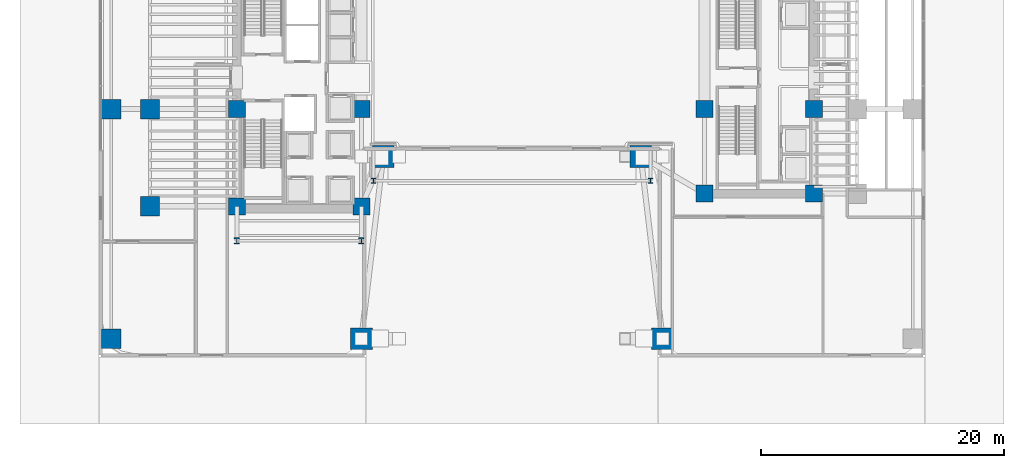
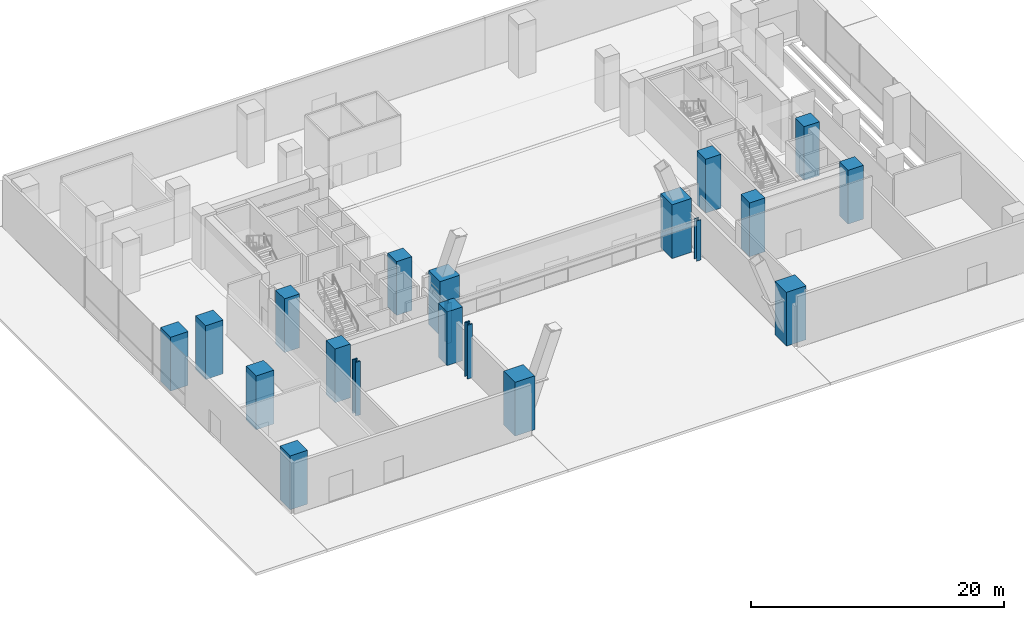
# One storey, part 1 of 27: 20 columns.
"""IFC4 building model written with IfcOpenShell, lengths in metres."""

from ifc_helpers import new_model, si_unit, direction, frame, origin, origin_2d, place, context, subcontext, project, spatial, rectangle, i_section, extrude, source, transform, mapped, material, material_profile, profile_set, type_object, element, save


model = new_model("IFC4")

# Units and contexts
model_context = context("Model", 3, precision=1e-05, world=origin(), true_north=direction((0.0, 1.0)))
body_context = subcontext(model_context, "Body", "Model", "MODEL_VIEW")
ifc_project = project(units=[si_unit("LENGTHUNIT", "METRE"), si_unit("AREAUNIT", "SQUARE_METRE"), si_unit("VOLUMEUNIT", "CUBIC_METRE"), si_unit("PLANEANGLEUNIT", "RADIAN"), si_unit("MASSUNIT", "GRAM", prefix="KILO")], contexts=[model_context])

# Site, building, storey
site_placement = place(None, origin())
site = spatial("IfcSite", under=ifc_project, at=site_placement, CompositionType="ELEMENT")
building_placement = place(site_placement, origin())
building = spatial("IfcBuilding", under=site, at=building_placement, Name="Valdorenza Pilgrim Sanctuary Tower", CompositionType="ELEMENT")
storey_placement = place(building_placement, origin())
storey = spatial("IfcBuildingStorey", under=building, at=storey_placement, Name="L00", CompositionType="ELEMENT", Elevation=0.0)

# Columns
ifc_material_1 = material(Name="Concrete C60/75", Category="concrete")
ifc_material_profile_1 = material_profile(ifc_material_1, rectangle(XDim=1.60009765625, YDim=1.60009765625, at=origin_2d()), Name="RC 1600x1600")
ifc_profile_set_1 = profile_set([ifc_material_profile_1], Name="Concrete C60/75")
column_type_1 = type_object("IfcColumnType", Name="COL-POD-1600", PredefinedType="COLUMN", material=ifc_profile_set_1)
shared_shape_1 = source(origin(), body_context, "Body", "SweptSolid", [
    extrude(rectangle(XDim=1.60009765625, YDim=1.60009765625, at=origin_2d()), origin(), (0.0, 0.0, 1.0), 5.199951171875),
])
for number, where, z_axis, x_axis, name in (
    (1, (-29.800048828125, -10.60009765625, 0.0), (0.0, 0.0, 1.0), (1.0, 0.0, 0.0), "L00 Perimeter Column WA-W-S1"),
    (2, (-29.800048828125, -2.60009765625, 0.0), (0.0, 0.0, 1.0), (1.0, 0.0, 0.0), "L00 Perimeter Column WA-W-M0"),
    (3, (-33.0, -21.5, 0.0), (0.0, 0.0, 1.0), (1.0, 0.0, 0.0), "L00 Perimeter Column POD-SW"),
    (4, (-33.0, -2.60009765625, 0.0), (0.0, 0.0, 1.0), (1.0, 0.0, 0.0), "L00 Perimeter Column POD-MW"),
):
    element("IfcColumn", number, at=place(storey_placement, frame(where, z_axis=z_axis, x_axis=x_axis)), inside=storey, type_object=column_type_1, Name=name, PredefinedType="COLUMN", context=body_context, shape_type="MappedRepresentation", body=[
        mapped(shared_shape_1, transform((0.0, 0.0, 0.0), x_axis=(1.0, 0.0, 0.0), y_axis=(0.0, 1.0, 0.0), z_axis=(0.0, 0.0, 1.0), scale=1.0)),
    ])
ifc_material_profile_2 = material_profile(ifc_material_1, rectangle(XDim=1.39990234375, YDim=1.39990234375, at=origin_2d()), Name="RC 1400x1400")
ifc_profile_set_2 = profile_set([ifc_material_profile_2], Name="Concrete C60/75")
column_type_2 = type_object("IfcColumnType", Name="COL-Z1-1400", PredefinedType="COLUMN", material=ifc_profile_set_2)
shared_shape_2 = source(origin(), body_context, "Body", "SweptSolid", [
    extrude(rectangle(XDim=1.39990234375, YDim=1.39990234375, at=origin_2d()), origin(), (0.0, 0.0, 1.0), 5.199951171875),
])
for number, where, z_axis, x_axis, name in (
    (5, (-22.64990234375, -10.60009765625, 0.0), (0.0, 0.0, 1.0), (1.0, 0.0, 0.0), "L00 Column CA-W-S1"),
    (6, (-12.39990234375, -10.60009765625, 0.0), (0.0, 0.0, 1.0), (1.0, 0.0, 0.0), "L00 Column CA-E-S1"),
    (7, (-22.64990234375, -2.60009765625, 0.0), (0.0, 0.0, 1.0), (1.0, 0.0, 0.0), "L00 Column CA-W-M0"),
    (8, (-12.39990234375, -2.60009765625, 0.0), (0.0, 0.0, 1.0), (1.0, 0.0, 0.0), "L00 Column CA-E-M0"),
    (9, (15.85009765625, -9.550048828125, 0.0), (0.0, 0.0, 1.0), (1.0, 0.0, 0.0), "L00 Column CB-W-S1"),
    (10, (24.85009765625, -9.550048828125, 0.0), (0.0, 0.0, 1.0), (1.0, 0.0, 0.0), "L00 Column CB-E-S1"),
    (11, (15.85009765625, -2.60009765625, 0.0), (0.0, 0.0, 1.0), (1.0, 0.0, 0.0), "L00 Column CB-W-M0"),
    (12, (24.85009765625, -2.60009765625, 0.0), (0.0, 0.0, 1.0), (1.0, 0.0, 0.0), "L00 Column CB-E-M0"),
):
    element("IfcColumn", number, at=place(storey_placement, frame(where, z_axis=z_axis, x_axis=x_axis)), inside=storey, type_object=column_type_2, Name=name, PredefinedType="COLUMN", context=body_context, shape_type="MappedRepresentation", body=[
        mapped(shared_shape_2, transform((0.0, 0.0, 0.0), x_axis=(1.0, 0.0, 0.0), y_axis=(0.0, 1.0, 0.0), z_axis=(0.0, 0.0, 1.0), scale=1.0)),
    ])
ifc_material_2 = material(Name="Steel ASTM A992 Grade 50", Category="steel")
ifc_material_profile_3 = material_profile(ifc_material_2, i_section(OverallWidth=0.44189453125, OverallDepth=0.531005859375, WebThickness=0.06591796875, FlangeThickness=0.105712890625, at=origin_2d()), Name="W14X605")
ifc_profile_set_3 = profile_set([ifc_material_profile_3], Name="Steel ASTM A992 Grade 50")
column_type_3 = type_object("IfcColumnType", Name="COL-STL-W605", PredefinedType="COLUMN", material=ifc_profile_set_3)
shared_shape_3 = source(origin(), body_context, "Body", "SweptSolid", [
    extrude(i_section(OverallWidth=0.44189453125, OverallDepth=0.531005859375, WebThickness=0.06591796875, FlangeThickness=0.105712890625, at=origin_2d()), origin(), (0.0, 0.0, 1.0), 5.199951171875),
])
for number, where, z_axis, x_axis, name in (
    (13, (-22.64990234375, -13.449951171875, 0.0), (0.0, 0.0, 1.0), (1.0, 0.0, 0.0), "L00 Column WA-S-W"),
    (14, (-12.39990234375, -13.449951171875, 0.0), (0.0, 0.0, 1.0), (1.0, 0.0, 0.0), "L00 Column WA-S-E"),
):
    element("IfcColumn", number, at=place(storey_placement, frame(where, z_axis=z_axis, x_axis=x_axis)), inside=storey, type_object=column_type_3, Name=name, PredefinedType="COLUMN", context=body_context, shape_type="MappedRepresentation", body=[
        mapped(shared_shape_3, transform((0.0, 0.0, 0.0), x_axis=(1.0, 0.0, 0.0), y_axis=(0.0, 1.0, 0.0), z_axis=(0.0, 0.0, 1.0), scale=1.0)),
    ])
ifc_material_profile_4 = material_profile(ifc_material_1, rectangle(XDim=1.800048828125, YDim=1.800048828125, at=origin_2d()), Name="RC 1800x1800")
ifc_profile_set_4 = profile_set([ifc_material_profile_4], Name="Concrete C60/75")
column_type_4 = type_object("IfcColumnType", Name="COL-ARCH-1800", PredefinedType="COLUMN", material=ifc_profile_set_4)
shared_shape_4 = source(origin(), body_context, "Body", "SweptSolid", [
    extrude(rectangle(XDim=1.800048828125, YDim=1.800048828125, at=origin_2d()), origin(), (0.0, 0.0, 1.0), 5.199951171875),
])
for number, where, z_axis, x_axis, name in (
    (15, (-12.39990234375, -21.5, 0.0), (0.0, 0.0, 1.0), (1.0, 0.0, 0.0), "L00 Perimeter Column ARCH-PIER-SW"),
    (16, (-10.60009765625, -6.5, 0.0), (0.0, 0.0, 1.0), (1.0, 0.0, 0.0), "L00 Perimeter Column ARCH-PIER-NW"),
    (17, (12.39990234375, -21.5, 0.0), (0.0, 0.0, 1.0), (1.0, 0.0, 0.0), "L00 Perimeter Column ARCH-PIER-SE"),
    (18, (10.60009765625, -6.5, 0.0), (0.0, 0.0, 1.0), (1.0, 0.0, 0.0), "L00 Perimeter Column ARCH-PIER-NE"),
):
    element("IfcColumn", number, at=place(storey_placement, frame(where, z_axis=z_axis, x_axis=x_axis)), inside=storey, type_object=column_type_4, Name=name, PredefinedType="COLUMN", context=body_context, shape_type="MappedRepresentation", body=[
        mapped(shared_shape_4, transform((0.0, 0.0, 0.0), x_axis=(1.0, 0.0, 0.0), y_axis=(0.0, 1.0, 0.0), z_axis=(0.0, 0.0, 1.0), scale=1.0)),
    ])
ifc_material_profile_5 = material_profile(ifc_material_2, i_section(OverallWidth=0.39892578125, OverallDepth=0.386962890625, WebThickness=0.02099609375, FlangeThickness=0.033203125, at=origin_2d()), Name="W14X176")
ifc_profile_set_5 = profile_set([ifc_material_profile_5], Name="Steel ASTM A992 Grade 50")
column_type_5 = type_object("IfcColumnType", Name="COL-PIL-W176", PredefinedType="PILASTER", material=ifc_profile_set_5)
shared_shape_5 = source(origin(), body_context, "Body", "SweptSolid", [
    extrude(i_section(OverallWidth=0.39892578125, OverallDepth=0.386962890625, WebThickness=0.02099609375, FlangeThickness=0.033203125, at=origin_2d()), origin(), (0.0, 0.0, 1.0), 3.89990234375),
])
for number, where, z_axis, x_axis, name in (
    (19, (-11.39990234375, -8.5, 0.0), (0.0, 0.0, 1.0), (1.0, 0.0, 0.0), "L00 Portal Canopy Column W"),
    (20, (11.39990234375, -8.5, 0.0), (0.0, 0.0, 1.0), (1.0, 0.0, 0.0), "L00 Portal Canopy Column E"),
):
    element("IfcColumn", number, at=place(storey_placement, frame(where, z_axis=z_axis, x_axis=x_axis)), inside=storey, type_object=column_type_5, Name=name, PredefinedType="PILASTER", context=body_context, shape_type="MappedRepresentation", body=[
        mapped(shared_shape_5, transform((0.0, 0.0, 0.0), x_axis=(1.0, 0.0, 0.0), y_axis=(0.0, 1.0, 0.0), z_axis=(0.0, 0.0, 1.0), scale=1.0)),
    ])

save(model, "model.ifc")
